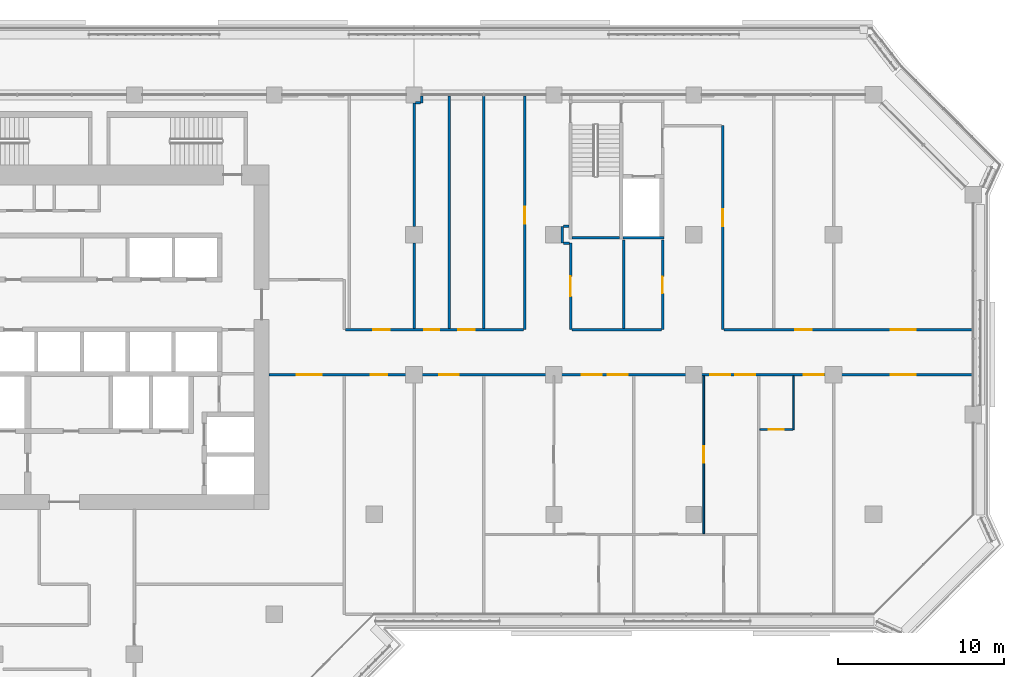
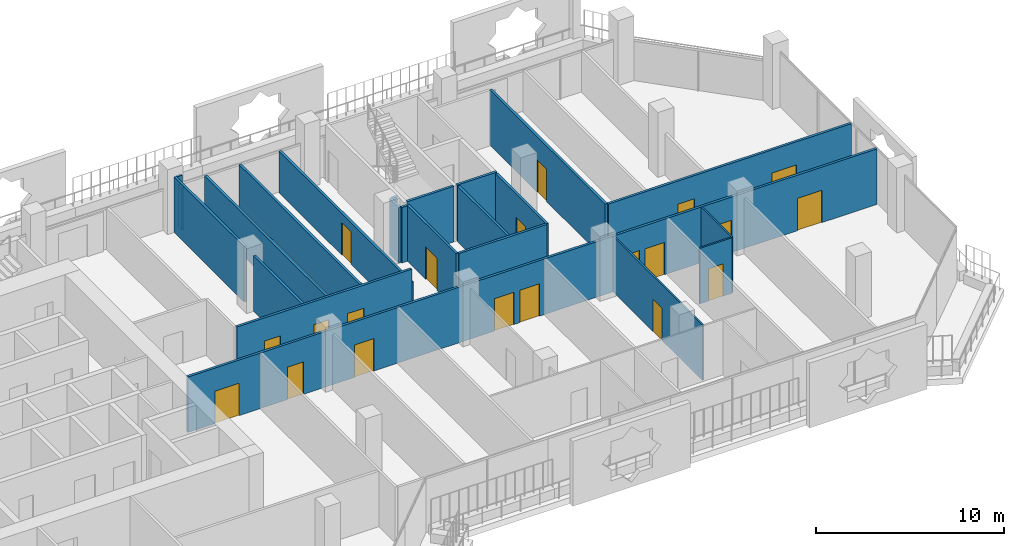
# One storey, part 13 of 22: 23 walls, 20 doors, 20 openings.
"""IFC4 building model written with IfcOpenShell, lengths in metres."""

from ifc_helpers import new_model, si_unit, direction, frame, frame_2d, origin, place, context, subcontext, project, spatial, rectangle, extrude, material, layer, layer_set, type_object, element, fill, save


model = new_model("IFC4")

# Units and contexts
model_context = context("Model", 3, precision=1e-05, world=origin(), true_north=direction((0.0, 1.0)))
body_context = subcontext(model_context, "Body", "Model", "MODEL_VIEW")
ifc_project = project(units=[si_unit("LENGTHUNIT", "METRE"), si_unit("AREAUNIT", "SQUARE_METRE"), si_unit("VOLUMEUNIT", "CUBIC_METRE"), si_unit("PLANEANGLEUNIT", "RADIAN"), si_unit("MASSUNIT", "GRAM", prefix="KILO")], contexts=[model_context])

# Site, building, storey
site_placement = place(None, origin())
site = spatial("IfcSite", under=ifc_project, at=site_placement, CompositionType="ELEMENT")
building_placement = place(site_placement, origin())
building = spatial("IfcBuilding", under=site, at=building_placement, Name="Kawkab Arch Medical Tower", CompositionType="ELEMENT")
storey_placement = place(building_placement, frame((0.0, 0.0, 204.60009765625)))
storey = spatial("IfcBuildingStorey", under=building, at=storey_placement, Name="L47", CompositionType="ELEMENT", Elevation=204.60009765625)

# Wall, opening, door
ifc_material_1 = material(Name="Gypsum board partition on steel studs", Category="steel")
ifc_layer_1 = layer(ifc_material_1, 0.10009765625)
ifc_layer_set_1 = layer_set([ifc_layer_1], Name="Gypsum board partition on steel studs")
wall_type_1 = type_object("IfcWallType", Name="Partition 100", PredefinedType="PARTITIONING", material=ifc_layer_set_1)
wall_1_placement = place(storey_placement, frame((54.375, -20.10009765625, 0.0), z_axis=(0.0, 0.0, 1.0), x_axis=(1.0, 0.0, 0.0)))
wall_1 = element("IfcWall", 1, at=wall_1_placement, inside=storey, type_object=wall_type_1, Name="Partition 100 w004", PredefinedType="PARTITIONING", context=body_context, shape_type="SweptSolid", body=[
    extrude(rectangle(XDim=1.97509765625, YDim=0.10009765625, at=frame_2d((0.987548828125, 0.0))), origin(), (0.0, 0.0, 1.0), 3.599853515625),
])
opening_1_placement = place(wall_1_placement, frame((0.52490234375, 0.0, 0.0)))
opening_1 = element("IfcOpeningElement", 2, at=opening_1_placement, cuts=wall_1, Name="Opening W42-008", PredefinedType="OPENING", context=body_context, shape_type="SweptSolid", body=[
    extrude(rectangle(XDim=0.89990234375, YDim=2.10009765625, at=frame_2d((0.449951171875, 1.050048828125))), frame((0.0, 0.06005859375, 0.0), z_axis=(0.0, -1.0, 0.0), x_axis=(1.0, 0.0, 0.0)), (0.0, 0.0, 1.0), 0.1201171875),
])
ifc_material_2 = material(Name="Timber door leaf", Category="wood")
door_type_1 = type_object("IfcDoorType", Name="Single door 900x2100", OperationType="NOTDEFINED", PredefinedType="DOOR", material=ifc_material_2)
door_1_placement = place(opening_1_placement, origin())
door_1 = element("IfcDoor", 3, at=door_1_placement, inside=storey, type_object=door_type_1, Name="Door W42-008", OperationType="SINGLE_SWING_RIGHT", OverallHeight=2.10009765625, OverallWidth=0.89990234375, PredefinedType="DOOR", context=body_context, shape_type="SweptSolid", body=[
    extrude(rectangle(XDim=0.89990234375, YDim=2.10009765625, at=frame_2d((0.449951171875, 1.050048828125))), frame((0.0, 0.02490234375, 0.0), z_axis=(0.0, -1.0, 0.0), x_axis=(1.0, 0.0, 0.0)), (0.0, 0.0, 1.0), 0.050048828125),
])
fill(opening_1, door_1)

wall_2_placement = place(storey_placement, frame((51.0, -26.35009765625, 0.0), z_axis=(0.0, 0.0, 1.0), x_axis=(0.0, 1.0, 0.0)))
wall_2 = element("IfcWall", 4, at=wall_2_placement, inside=storey, type_object=wall_type_1, Name="Partition 100 w008", PredefinedType="PARTITIONING", context=body_context, shape_type="SweptSolid", body=[
    extrude(rectangle(XDim=9.47509765625, YDim=0.10009765625, at=frame_2d((4.737548828125, 0.0))), origin(), (0.0, 0.0, 1.0), 3.599853515625),
])
opening_2_placement = place(wall_2_placement, frame((4.25, 0.0, 0.0)))
opening_2 = element("IfcOpeningElement", 5, at=opening_2_placement, cuts=wall_2, Name="Opening W42-015", PredefinedType="OPENING", context=body_context, shape_type="SweptSolid", body=[
    extrude(rectangle(XDim=1.0, YDim=2.10009765625, at=frame_2d((0.5, 1.050048828125))), frame((0.0, 0.06005859375, 0.0), z_axis=(0.0, -1.0, 0.0), x_axis=(1.0, 0.0, 0.0)), (0.0, 0.0, 1.0), 0.1201171875),
])
ifc_material_3 = material(Name="Timber door leaf", Category="wood")
door_type_2 = type_object("IfcDoorType", Name="Single door 1000x2100", OperationType="NOTDEFINED", PredefinedType="DOOR", material=ifc_material_3)
door_2_placement = place(opening_2_placement, origin())
door_2 = element("IfcDoor", 6, at=door_2_placement, inside=storey, type_object=door_type_2, Name="Door W42-015", OperationType="SINGLE_SWING_LEFT", OverallHeight=2.10009765625, OverallWidth=1.0, PredefinedType="DOOR", context=body_context, shape_type="SweptSolid", body=[
    extrude(rectangle(XDim=1.0, YDim=2.10009765625, at=frame_2d((0.5, 1.050048828125))), frame((0.0, 0.02490234375, 0.0), z_axis=(0.0, -1.0, 0.0), x_axis=(1.0, 0.0, 0.0)), (0.0, 0.0, 1.0), 0.050048828125),
])
fill(opening_2, door_2)

# Wall
wall_3_placement = place(storey_placement, frame((56.39990234375, -20.10009765625, 0.0), z_axis=(0.0, 0.0, 1.0), x_axis=(0.0, 1.0, 0.0)))
element("IfcWall", 7, at=wall_3_placement, inside=storey, type_object=wall_type_1, Name="Partition 100 w010", PredefinedType="PARTITIONING", context=body_context, shape_type="SweptSolid", body=[
    extrude(rectangle(XDim=3.22509765625, YDim=0.10009765625, at=frame_2d((1.612548828125, 0.0))), origin(), (0.0, 0.0, 1.0), 3.599853515625),
])

# Wall, openings, doors
ifc_material_4 = material(Name="Gypsum board partition on steel studs, mineral wool", Category="steel")
ifc_layer_2 = layer(ifc_material_4, 0.14990234375)
ifc_layer_set_2 = layer_set([ifc_layer_2], Name="Gypsum board partition on steel studs, mineral wool")
wall_type_2 = type_object("IfcWallType", Name="Partition 150", PredefinedType="PARTITIONING", material=ifc_layer_set_2)
wall_4_placement = place(storey_placement, frame((24.89990234375, -16.800048828125, 0.0), z_axis=(0.0, 0.0, 1.0), x_axis=(1.0, 0.0, 0.0)))
wall_4 = element("IfcWall", 8, at=wall_4_placement, inside=storey, type_object=wall_type_2, Name="Partition 150 w022", PredefinedType="PARTITIONING", context=body_context, shape_type="SweptSolid", body=[
    extrude(rectangle(XDim=42.22021484375, YDim=0.14990234375, at=frame_2d((21.110107421875, 0.0))), origin(), (0.0, 0.0, 1.0), 3.599853515625),
])
opening_3_placement = place(wall_4_placement, frame((1.64990234375, 0.0, 0.0)))
opening_3 = element("IfcOpeningElement", 9, at=opening_3_placement, cuts=wall_4, Name="Opening W42-001", PredefinedType="OPENING", context=body_context, shape_type="SweptSolid", body=[
    extrude(rectangle(XDim=1.5, YDim=2.10009765625, at=frame_2d((0.75, 1.050048828125))), frame((0.0, 0.0849609375, 0.0), z_axis=(0.0, -1.0, 0.0), x_axis=(1.0, 0.0, 0.0)), (0.0, 0.0, 1.0), 0.169921875),
])
opening_4_placement = place(wall_4_placement, frame((6.10009765625, 0.0, 0.0)))
opening_4 = element("IfcOpeningElement", 10, at=opening_4_placement, cuts=wall_4, Name="Opening W42-022", PredefinedType="OPENING", context=body_context, shape_type="SweptSolid", body=[
    extrude(rectangle(XDim=1.0, YDim=2.10009765625, at=frame_2d((0.5, 1.050048828125))), frame((0.0, 0.0849609375, 0.0), z_axis=(0.0, -1.0, 0.0), x_axis=(1.0, 0.0, 0.0)), (0.0, 0.0, 1.0), 0.169921875),
])
opening_5_placement = place(wall_4_placement, frame((10.199951171875, 0.0, 0.0)))
opening_5 = element("IfcOpeningElement", 11, at=opening_5_placement, cuts=wall_4, Name="Opening W42-028", PredefinedType="OPENING", context=body_context, shape_type="SweptSolid", body=[
    extrude(rectangle(XDim=1.199951171875, YDim=2.10009765625, at=frame_2d((0.60009765625, 1.050048828125))), frame((0.0, 0.0849609375, 0.0), z_axis=(0.0, -1.0, 0.0), x_axis=(1.0, 0.0, 0.0)), (0.0, 0.0, 1.0), 0.169921875),
])
opening_6_placement = place(wall_4_placement, frame((20.340087890625, 0.0, 0.0)))
opening_6 = element("IfcOpeningElement", 12, at=opening_6_placement, cuts=wall_4, Name="Opening W42-029", PredefinedType="OPENING", context=body_context, shape_type="SweptSolid", body=[
    extrude(rectangle(XDim=1.199951171875, YDim=2.10009765625, at=frame_2d((0.60009765625, 1.050048828125))), frame((0.0, 0.0849609375, 0.0), z_axis=(0.0, -1.0, 0.0), x_axis=(1.0, 0.0, 0.0)), (0.0, 0.0, 1.0), 0.169921875),
])
opening_7_placement = place(wall_4_placement, frame((18.780029296875, 0.0, 0.0)))
opening_7 = element("IfcOpeningElement", 13, at=opening_7_placement, cuts=wall_4, Name="Opening W42-030", PredefinedType="OPENING", context=body_context, shape_type="SweptSolid", body=[
    extrude(rectangle(XDim=1.199951171875, YDim=2.10009765625, at=frame_2d((0.60009765625, 1.050048828125))), frame((0.0, 0.0849609375, 0.0), z_axis=(0.0, -1.0, 0.0), x_axis=(1.0, 0.0, 0.0)), (0.0, 0.0, 1.0), 0.169921875),
])
opening_8_placement = place(wall_4_placement, frame((28.0, 0.0, 0.0)))
opening_8 = element("IfcOpeningElement", 14, at=opening_8_placement, cuts=wall_4, Name="Opening W42-031", PredefinedType="OPENING", context=body_context, shape_type="SweptSolid", body=[
    extrude(rectangle(XDim=1.199951171875, YDim=2.10009765625, at=frame_2d((0.60009765625, 1.050048828125))), frame((0.0, 0.0849609375, 0.0), z_axis=(0.0, -1.0, 0.0), x_axis=(1.0, 0.0, 0.0)), (0.0, 0.0, 1.0), 0.169921875),
])
opening_9_placement = place(wall_4_placement, frame((26.47998046875, 0.0, 0.0)))
opening_9 = element("IfcOpeningElement", 15, at=opening_9_placement, cuts=wall_4, Name="Opening W42-032", PredefinedType="OPENING", context=body_context, shape_type="SweptSolid", body=[
    extrude(rectangle(XDim=1.199951171875, YDim=2.10009765625, at=frame_2d((0.60009765625, 1.050048828125))), frame((0.0, 0.0849609375, 0.0), z_axis=(0.0, -1.0, 0.0), x_axis=(1.0, 0.0, 0.0)), (0.0, 0.0, 1.0), 0.169921875),
])
opening_10_placement = place(wall_4_placement, frame((32.10009765625, 0.0, 0.0)))
opening_10 = element("IfcOpeningElement", 16, at=opening_10_placement, cuts=wall_4, Name="Opening W42-033", PredefinedType="OPENING", context=body_context, shape_type="SweptSolid", body=[
    extrude(rectangle(XDim=1.199951171875, YDim=2.10009765625, at=frame_2d((0.60009765625, 1.050048828125))), frame((0.0, 0.0849609375, 0.0), z_axis=(0.0, -1.0, 0.0), x_axis=(1.0, 0.0, 0.0)), (0.0, 0.0, 1.0), 0.169921875),
])
opening_11_placement = place(wall_4_placement, frame((37.35009765625, 0.0, 0.0)))
opening_11 = element("IfcOpeningElement", 17, at=opening_11_placement, cuts=wall_4, Name="Opening W42-003", PredefinedType="OPENING", context=body_context, shape_type="SweptSolid", body=[
    extrude(rectangle(XDim=1.5, YDim=2.10009765625, at=frame_2d((0.75, 1.050048828125))), frame((0.0, 0.0849609375, 0.0), z_axis=(0.0, -1.0, 0.0), x_axis=(1.0, 0.0, 0.0)), (0.0, 0.0, 1.0), 0.169921875),
])
ifc_material_5 = material(Name="Hollow metal door leaf")
door_type_3 = type_object("IfcDoorType", Name="Double door 1500x2100 FD30S", OperationType="NOTDEFINED", PredefinedType="DOOR", material=ifc_material_5)
door_3_placement = place(opening_3_placement, origin())
door_3 = element("IfcDoor", 18, at=door_3_placement, inside=storey, type_object=door_type_3, Name="Door W42-001", OperationType="DOUBLE_DOOR_SINGLE_SWING", OverallHeight=2.10009765625, OverallWidth=1.5, PredefinedType="DOOR", context=body_context, shape_type="SweptSolid", body=[
    extrude(rectangle(XDim=1.5, YDim=2.10009765625, at=frame_2d((0.75, 1.050048828125))), frame((0.0, 0.02490234375, 0.0), z_axis=(0.0, -1.0, 0.0), x_axis=(1.0, 0.0, 0.0)), (0.0, 0.0, 1.0), 0.050048828125),
])
fill(opening_3, door_3)
door_4_placement = place(opening_11_placement, origin())
door_4 = element("IfcDoor", 19, at=door_4_placement, inside=storey, type_object=door_type_3, Name="Door W42-003", OperationType="DOUBLE_DOOR_SINGLE_SWING", OverallHeight=2.10009765625, OverallWidth=1.5, PredefinedType="DOOR", context=body_context, shape_type="SweptSolid", body=[
    extrude(rectangle(XDim=1.5, YDim=2.10009765625, at=frame_2d((0.75, 1.050048828125))), frame((0.0, 0.02490234375, 0.0), z_axis=(0.0, -1.0, 0.0), x_axis=(1.0, 0.0, 0.0)), (0.0, 0.0, 1.0), 0.050048828125),
])
fill(opening_11, door_4)
ifc_material_6 = material(Name="Hollow metal door leaf")
door_type_4 = type_object("IfcDoorType", Name="Single door 1000x2100 FD30S", OperationType="NOTDEFINED", PredefinedType="DOOR", material=ifc_material_6)
door_5_placement = place(opening_4_placement, origin())
door_5 = element("IfcDoor", 20, at=door_5_placement, inside=storey, type_object=door_type_4, Name="Door W42-022", OperationType="SINGLE_SWING_RIGHT", OverallHeight=2.10009765625, OverallWidth=1.0, PredefinedType="DOOR", context=body_context, shape_type="SweptSolid", body=[
    extrude(rectangle(XDim=1.0, YDim=2.10009765625, at=frame_2d((0.5, 1.050048828125))), frame((0.0, 0.02490234375, 0.0), z_axis=(0.0, -1.0, 0.0), x_axis=(1.0, 0.0, 0.0)), (0.0, 0.0, 1.0), 0.050048828125),
])
fill(opening_4, door_5)
ifc_material_7 = material(Name="Hollow metal door leaf")
door_type_5 = type_object("IfcDoorType", Name="Single door 1200x2100 FD30S", OperationType="NOTDEFINED", PredefinedType="DOOR", material=ifc_material_7)
door_6_placement = place(opening_5_placement, origin())
door_6 = element("IfcDoor", 21, at=door_6_placement, inside=storey, type_object=door_type_5, Name="Door W42-028", OperationType="SINGLE_SWING_RIGHT", OverallHeight=2.10009765625, OverallWidth=1.199951171875, PredefinedType="DOOR", context=body_context, shape_type="SweptSolid", body=[
    extrude(rectangle(XDim=1.199951171875, YDim=2.10009765625, at=frame_2d((0.60009765625, 1.050048828125))), frame((0.0, 0.02490234375, 0.0), z_axis=(0.0, -1.0, 0.0), x_axis=(1.0, 0.0, 0.0)), (0.0, 0.0, 1.0), 0.050048828125),
])
fill(opening_5, door_6)
door_7_placement = place(opening_6_placement, origin())
door_7 = element("IfcDoor", 22, at=door_7_placement, inside=storey, type_object=door_type_5, Name="Door W42-029", OperationType="SINGLE_SWING_LEFT", OverallHeight=2.10009765625, OverallWidth=1.199951171875, PredefinedType="DOOR", context=body_context, shape_type="SweptSolid", body=[
    extrude(rectangle(XDim=1.199951171875, YDim=2.10009765625, at=frame_2d((0.60009765625, 1.050048828125))), frame((0.0, 0.02490234375, 0.0), z_axis=(0.0, -1.0, 0.0), x_axis=(1.0, 0.0, 0.0)), (0.0, 0.0, 1.0), 0.050048828125),
])
fill(opening_6, door_7)
door_8_placement = place(opening_7_placement, origin())
door_8 = element("IfcDoor", 23, at=door_8_placement, inside=storey, type_object=door_type_5, Name="Door W42-030", OperationType="SINGLE_SWING_RIGHT", OverallHeight=2.10009765625, OverallWidth=1.199951171875, PredefinedType="DOOR", context=body_context, shape_type="SweptSolid", body=[
    extrude(rectangle(XDim=1.199951171875, YDim=2.10009765625, at=frame_2d((0.60009765625, 1.050048828125))), frame((0.0, 0.02490234375, 0.0), z_axis=(0.0, -1.0, 0.0), x_axis=(1.0, 0.0, 0.0)), (0.0, 0.0, 1.0), 0.050048828125),
])
fill(opening_7, door_8)
door_9_placement = place(opening_8_placement, origin())
door_9 = element("IfcDoor", 24, at=door_9_placement, inside=storey, type_object=door_type_5, Name="Door W42-031", OperationType="SINGLE_SWING_LEFT", OverallHeight=2.10009765625, OverallWidth=1.199951171875, PredefinedType="DOOR", context=body_context, shape_type="SweptSolid", body=[
    extrude(rectangle(XDim=1.199951171875, YDim=2.10009765625, at=frame_2d((0.60009765625, 1.050048828125))), frame((0.0, 0.02490234375, 0.0), z_axis=(0.0, -1.0, 0.0), x_axis=(1.0, 0.0, 0.0)), (0.0, 0.0, 1.0), 0.050048828125),
])
fill(opening_8, door_9)
door_10_placement = place(opening_9_placement, origin())
door_10 = element("IfcDoor", 25, at=door_10_placement, inside=storey, type_object=door_type_5, Name="Door W42-032", OperationType="SINGLE_SWING_LEFT", OverallHeight=2.10009765625, OverallWidth=1.199951171875, PredefinedType="DOOR", context=body_context, shape_type="SweptSolid", body=[
    extrude(rectangle(XDim=1.199951171875, YDim=2.10009765625, at=frame_2d((0.60009765625, 1.050048828125))), frame((0.0, 0.02490234375, 0.0), z_axis=(0.0, -1.0, 0.0), x_axis=(1.0, 0.0, 0.0)), (0.0, 0.0, 1.0), 0.050048828125),
])
fill(opening_9, door_10)
door_11_placement = place(opening_10_placement, origin())
door_11 = element("IfcDoor", 26, at=door_11_placement, inside=storey, type_object=door_type_5, Name="Door W42-033", OperationType="SINGLE_SWING_LEFT", OverallHeight=2.10009765625, OverallWidth=1.199951171875, PredefinedType="DOOR", context=body_context, shape_type="SweptSolid", body=[
    extrude(rectangle(XDim=1.199951171875, YDim=2.10009765625, at=frame_2d((0.60009765625, 1.050048828125))), frame((0.0, 0.02490234375, 0.0), z_axis=(0.0, -1.0, 0.0), x_axis=(1.0, 0.0, 0.0)), (0.0, 0.0, 1.0), 0.050048828125),
])
fill(opening_10, door_11)

wall_5_placement = place(storey_placement, frame((29.47509765625, -14.10009765625, 0.0), z_axis=(0.0, 0.0, 1.0), x_axis=(1.0, 0.0, 0.0)))
wall_5 = element("IfcWall", 27, at=wall_5_placement, inside=storey, type_object=wall_type_2, Name="Partition 150 w024", PredefinedType="PARTITIONING", context=body_context, shape_type="SweptSolid", body=[
    extrude(rectangle(XDim=10.706787109375, YDim=0.14990234375, at=frame_2d((5.353515625, 0.0))), origin(), (0.0, 0.0, 1.0), 3.599853515625),
])
opening_12_placement = place(wall_5_placement, frame((1.675048828125, 0.0, 0.0)))
opening_12 = element("IfcOpeningElement", 28, at=opening_12_placement, cuts=wall_5, Name="Opening W42-019", PredefinedType="OPENING", context=body_context, shape_type="SweptSolid", body=[
    extrude(rectangle(XDim=1.0, YDim=2.10009765625, at=frame_2d((0.5, 1.050048828125))), frame((0.0, 0.0849609375, 0.0), z_axis=(0.0, -1.0, 0.0), x_axis=(1.0, 0.0, 0.0)), (0.0, 0.0, 1.0), 0.169921875),
])
opening_13_placement = place(wall_5_placement, frame((4.72509765625, 0.0, 0.0)))
opening_13 = element("IfcOpeningElement", 29, at=opening_13_placement, cuts=wall_5, Name="Opening W42-010", PredefinedType="OPENING", context=body_context, shape_type="SweptSolid", body=[
    extrude(rectangle(XDim=0.89990234375, YDim=2.10009765625, at=frame_2d((0.449951171875, 1.050048828125))), frame((0.0, 0.0849609375, 0.0), z_axis=(0.0, -1.0, 0.0), x_axis=(1.0, 0.0, 0.0)), (0.0, 0.0, 1.0), 0.169921875),
])
opening_14_placement = place(wall_5_placement, frame((6.77490234375, 0.0, 0.0)))
opening_14 = element("IfcOpeningElement", 30, at=opening_14_placement, cuts=wall_5, Name="Opening W42-018", PredefinedType="OPENING", context=body_context, shape_type="SweptSolid", body=[
    extrude(rectangle(XDim=1.0, YDim=2.10009765625, at=frame_2d((0.5, 1.050048828125))), frame((0.0, 0.0849609375, 0.0), z_axis=(0.0, -1.0, 0.0), x_axis=(1.0, 0.0, 0.0)), (0.0, 0.0, 1.0), 0.169921875),
])
door_12_placement = place(opening_14_placement, origin())
door_12 = element("IfcDoor", 31, at=door_12_placement, inside=storey, type_object=door_type_2, Name="Door W42-018", OperationType="SINGLE_SWING_RIGHT", OverallHeight=2.10009765625, OverallWidth=1.0, PredefinedType="DOOR", context=body_context, shape_type="SweptSolid", body=[
    extrude(rectangle(XDim=1.0, YDim=2.10009765625, at=frame_2d((0.5, 1.050048828125))), frame((0.0, 0.02490234375, 0.0), z_axis=(0.0, -1.0, 0.0), x_axis=(1.0, 0.0, 0.0)), (0.0, 0.0, 1.0), 0.050048828125),
])
fill(opening_14, door_12)
door_13_placement = place(opening_12_placement, origin())
door_13 = element("IfcDoor", 32, at=door_13_placement, inside=storey, type_object=door_type_4, Name="Door W42-019", OperationType="SINGLE_SWING_LEFT", OverallHeight=2.10009765625, OverallWidth=1.0, PredefinedType="DOOR", context=body_context, shape_type="SweptSolid", body=[
    extrude(rectangle(XDim=1.0, YDim=2.10009765625, at=frame_2d((0.5, 1.050048828125))), frame((0.0, 0.02490234375, 0.0), z_axis=(0.0, -1.0, 0.0), x_axis=(1.0, 0.0, 0.0)), (0.0, 0.0, 1.0), 0.050048828125),
])
fill(opening_12, door_13)
door_14_placement = place(opening_13_placement, origin())
door_14 = element("IfcDoor", 33, at=door_14_placement, inside=storey, type_object=door_type_1, Name="Door W42-010", OperationType="SINGLE_SWING_LEFT", OverallHeight=2.10009765625, OverallWidth=0.89990234375, PredefinedType="DOOR", context=body_context, shape_type="SweptSolid", body=[
    extrude(rectangle(XDim=0.89990234375, YDim=2.10009765625, at=frame_2d((0.449951171875, 1.050048828125))), frame((0.0, 0.02490234375, 0.0), z_axis=(0.0, -1.0, 0.0), x_axis=(1.0, 0.0, 0.0)), (0.0, 0.0, 1.0), 0.050048828125),
])
fill(opening_13, door_14)

# Wall
wall_6_placement = place(storey_placement, frame((43.074951171875, -14.10009765625, 0.0), z_axis=(0.0, 0.0, 1.0), x_axis=(1.0, 0.0, 0.0)))
element("IfcWall", 34, at=wall_6_placement, inside=storey, type_object=wall_type_2, Name="Partition 150 w025", PredefinedType="PARTITIONING", context=body_context, shape_type="SweptSolid", body=[
    extrude(rectangle(XDim=5.375, YDim=0.14990234375, at=frame_2d((2.6875, 0.0))), origin(), (0.0, 0.0, 1.0), 3.599853515625),
])

# Wall, openings, doors
wall_7_placement = place(storey_placement, frame((52.218017578125, -14.10009765625, 0.0), z_axis=(0.0, 0.0, 1.0), x_axis=(1.0, 0.0, 0.0)))
wall_7 = element("IfcWall", 35, at=wall_7_placement, inside=storey, type_object=wall_type_2, Name="Partition 150 w026", PredefinedType="PARTITIONING", context=body_context, shape_type="SweptSolid", body=[
    extrude(rectangle(XDim=14.902099609375, YDim=0.14990234375, at=frame_2d((7.451171875, 0.0))), origin(), (0.0, 0.0, 1.0), 3.599853515625),
])
opening_15_placement = place(wall_7_placement, frame((4.281982421875, 0.0, 0.0)))
opening_15 = element("IfcOpeningElement", 36, at=opening_15_placement, cuts=wall_7, Name="Opening W42-021", PredefinedType="OPENING", context=body_context, shape_type="SweptSolid", body=[
    extrude(rectangle(XDim=1.0, YDim=2.10009765625, at=frame_2d((0.5, 1.050048828125))), frame((0.0, 0.0849609375, 0.0), z_axis=(0.0, -1.0, 0.0), x_axis=(1.0, 0.0, 0.0)), (0.0, 0.0, 1.0), 0.169921875),
])
opening_16_placement = place(wall_7_placement, frame((10.031982421875, 0.0, 0.0)))
opening_16 = element("IfcOpeningElement", 37, at=opening_16_placement, cuts=wall_7, Name="Opening W42-002", PredefinedType="OPENING", context=body_context, shape_type="SweptSolid", body=[
    extrude(rectangle(XDim=1.5, YDim=2.10009765625, at=frame_2d((0.75, 1.050048828125))), frame((0.0, 0.0849609375, 0.0), z_axis=(0.0, -1.0, 0.0), x_axis=(1.0, 0.0, 0.0)), (0.0, 0.0, 1.0), 0.169921875),
])
door_15_placement = place(opening_16_placement, origin())
door_15 = element("IfcDoor", 38, at=door_15_placement, inside=storey, type_object=door_type_3, Name="Door W42-002", OperationType="DOUBLE_DOOR_SINGLE_SWING", OverallHeight=2.10009765625, OverallWidth=1.5, PredefinedType="DOOR", context=body_context, shape_type="SweptSolid", body=[
    extrude(rectangle(XDim=1.5, YDim=2.10009765625, at=frame_2d((0.75, 1.050048828125))), frame((0.0, 0.02490234375, 0.0), z_axis=(0.0, -1.0, 0.0), x_axis=(1.0, 0.0, 0.0)), (0.0, 0.0, 1.0), 0.050048828125),
])
fill(opening_16, door_15)
door_16_placement = place(opening_15_placement, origin())
door_16 = element("IfcDoor", 39, at=door_16_placement, inside=storey, type_object=door_type_4, Name="Door W42-021", OperationType="SINGLE_SWING_LEFT", OverallHeight=2.10009765625, OverallWidth=1.0, PredefinedType="DOOR", context=body_context, shape_type="SweptSolid", body=[
    extrude(rectangle(XDim=1.0, YDim=2.10009765625, at=frame_2d((0.5, 1.050048828125))), frame((0.0, 0.02490234375, 0.0), z_axis=(0.0, -1.0, 0.0), x_axis=(1.0, 0.0, 0.0)), (0.0, 0.0, 1.0), 0.050048828125),
])
fill(opening_15, door_16)

# Walls
wall_8_placement = place(storey_placement, frame((42.576904296875, -8.89990234375, 0.0), z_axis=(0.0, 0.0, 1.0), x_axis=(1.0, 0.0, 0.0)))
element("IfcWall", 40, at=wall_8_placement, inside=storey, type_object=wall_type_2, Name="Partition 150 w028", PredefinedType="PARTITIONING", context=body_context, shape_type="SweptSolid", body=[
    extrude(rectangle(XDim=0.34814453125, YDim=0.14990234375, at=frame_2d((0.174072265625, 0.0))), origin(), (0.0, 0.0, 1.0), 3.599853515625),
])
wall_9_placement = place(storey_placement, frame((42.576904296875, -7.89990234375, 0.0), z_axis=(0.0, 0.0, 1.0), x_axis=(1.0, 0.0, 0.0)))
element("IfcWall", 41, at=wall_9_placement, inside=storey, type_object=wall_type_2, Name="Partition 150 w029", PredefinedType="PARTITIONING", context=body_context, shape_type="SweptSolid", body=[
    extrude(rectangle(XDim=0.322998046875, YDim=0.14990234375, at=frame_2d((0.16162109375, 0.0))), origin(), (0.0, 0.0, 1.0), 3.599853515625),
])
wall_10_placement = place(storey_placement, frame((33.677001953125, -0.47509765625, 0.0), z_axis=(0.0, 0.0, 1.0), x_axis=(1.0, 0.0, 0.0)))
element("IfcWall", 42, at=wall_10_placement, inside=storey, type_object=wall_type_2, Name="Partition 150 w031", PredefinedType="PARTITIONING", context=body_context, shape_type="SweptSolid", body=[
    extrude(rectangle(XDim=0.321044921875, YDim=0.14990234375, at=frame_2d((0.16064453125, 0.0))), origin(), (0.0, 0.0, 1.0), 3.599853515625),
])
wall_11_placement = place(storey_placement, frame((33.60009765625, -14.02490234375, 0.0), z_axis=(0.0, 0.0, 1.0), x_axis=(0.0, 1.0, 0.0)))
element("IfcWall", 43, at=wall_11_placement, inside=storey, type_object=wall_type_2, Name="Partition 150 w044", PredefinedType="PARTITIONING", context=body_context, shape_type="SweptSolid", body=[
    extrude(rectangle(XDim=5.125, YDim=0.14990234375, at=frame_2d((2.5625, 0.0))), origin(), (0.0, 0.0, 1.0), 3.599853515625),
])
wall_12_placement = place(storey_placement, frame((33.60009765625, -7.89990234375, 0.0), z_axis=(0.0, 0.0, 1.0), x_axis=(0.0, 1.0, 0.0)))
element("IfcWall", 44, at=wall_12_placement, inside=storey, type_object=wall_type_2, Name="Partition 150 w045", PredefinedType="PARTITIONING", context=body_context, shape_type="SweptSolid", body=[
    extrude(rectangle(XDim=7.4228515625, YDim=0.14990234375, at=frame_2d((3.71142578125, 0.0))), origin(), (0.0, 0.0, 1.0), 3.599853515625),
])
wall_13_placement = place(storey_placement, frame((34.074951171875, -0.472900390625, 0.0), z_axis=(0.0, 0.0, 1.0), x_axis=(0.0, 1.0, 0.0)))
element("IfcWall", 45, at=wall_13_placement, inside=storey, type_object=wall_type_2, Name="Partition 150 w046", PredefinedType="PARTITIONING", context=body_context, shape_type="SweptSolid", body=[
    extrude(rectangle(XDim=0.392822265625, YDim=0.14990234375, at=frame_2d((0.1962890625, 0.0))), origin(), (0.0, 0.0, 1.0), 2.699951171875),
])
for number, where, z_axis, x_axis, name in (
    (46, (35.699951171875, -14.02490234375, 0.0), (0.0, 0.0, 1.0), (0.0, 1.0, 0.0), "Partition 150 w047"),
    (47, (37.800048828125, -14.02490234375, 0.0), (0.0, 0.0, 1.0), (0.0, 1.0, 0.0), "Partition 150 w049"),
):
    element("IfcWall", number, at=place(storey_placement, frame(where, z_axis=z_axis, x_axis=x_axis)), inside=storey, type_object=wall_type_2, Name=name, PredefinedType="PARTITIONING", context=body_context, shape_type="SweptSolid", body=[
        extrude(rectangle(XDim=13.94482421875, YDim=0.14990234375, at=frame_2d((6.972412109375, 0.0))), origin(), (0.0, 0.0, 1.0), 2.699951171875),
    ])

# Wall, opening, door
wall_14_placement = place(storey_placement, frame((40.257080078125, -14.10009765625, 0.0), z_axis=(0.0, 0.0, 1.0), x_axis=(0.0, 1.0, 0.0)))
wall_14 = element("IfcWall", 48, at=wall_14_placement, inside=storey, type_object=wall_type_2, Name="Partition 150 w050", PredefinedType="PARTITIONING", context=body_context, shape_type="SweptSolid", body=[
    extrude(rectangle(XDim=14.02001953125, YDim=0.14990234375, at=frame_2d((7.010009765625, 0.0))), origin(), (0.0, 0.0, 1.0), 2.699951171875),
])
opening_17_placement = place(wall_14_placement, frame((6.3740234375, 0.0, 0.0)))
opening_17 = element("IfcOpeningElement", 49, at=opening_17_placement, cuts=wall_14, Name="Opening W42-024", PredefinedType="OPENING", context=body_context, shape_type="SweptSolid", body=[
    extrude(rectangle(XDim=1.0, YDim=2.10009765625, at=frame_2d((0.5, 1.050048828125))), frame((0.0, 0.0849609375, 0.0), z_axis=(0.0, -1.0, 0.0), x_axis=(1.0, 0.0, 0.0)), (0.0, 0.0, 1.0), 0.169921875),
])
door_17_placement = place(opening_17_placement, origin())
door_17 = element("IfcDoor", 50, at=door_17_placement, inside=storey, type_object=door_type_4, Name="Door W42-024", OperationType="SINGLE_SWING_LEFT", OverallHeight=2.10009765625, OverallWidth=1.0, PredefinedType="DOOR", context=body_context, shape_type="SweptSolid", body=[
    extrude(rectangle(XDim=1.0, YDim=2.10009765625, at=frame_2d((0.5, 1.050048828125))), frame((0.0, 0.02490234375, 0.0), z_axis=(0.0, -1.0, 0.0), x_axis=(1.0, 0.0, 0.0)), (0.0, 0.0, 1.0), 0.050048828125),
])
fill(opening_17, door_17)

# Wall
wall_15_placement = place(storey_placement, frame((42.5, -8.89892578125, 0.0), z_axis=(0.0, 0.0, 1.0), x_axis=(0.0, 1.0, 0.0)))
element("IfcWall", 51, at=wall_15_placement, inside=storey, type_object=wall_type_2, Name="Partition 150 w051", PredefinedType="PARTITIONING", context=body_context, shape_type="SweptSolid", body=[
    extrude(rectangle(XDim=0.996826171875, YDim=0.14990234375, at=frame_2d((0.49853515625, 0.0))), origin(), (0.0, 0.0, 1.0), 3.599853515625),
])

# Wall, opening, door
wall_16_placement = place(storey_placement, frame((43.0, -14.10009765625, 0.0), z_axis=(0.0, 0.0, 1.0), x_axis=(0.0, 1.0, 0.0)))
wall_16 = element("IfcWall", 52, at=wall_16_placement, inside=storey, type_object=wall_type_2, Name="Partition 150 w052", PredefinedType="PARTITIONING", context=body_context, shape_type="SweptSolid", body=[
    extrude(rectangle(XDim=5.2001953125, YDim=0.14990234375, at=frame_2d((2.60009765625, 0.0))), origin(), (0.0, 0.0, 1.0), 3.599853515625),
])
opening_18_placement = place(wall_16_placement, frame((2.0, 0.0, 0.0)))
opening_18 = element("IfcOpeningElement", 53, at=opening_18_placement, cuts=wall_16, Name="Opening W42-027", PredefinedType="OPENING", context=body_context, shape_type="SweptSolid", body=[
    extrude(rectangle(XDim=1.199951171875, YDim=2.10009765625, at=frame_2d((0.60009765625, 1.050048828125))), frame((0.0, 0.0849609375, 0.0), z_axis=(0.0, -1.0, 0.0), x_axis=(1.0, 0.0, 0.0)), (0.0, 0.0, 1.0), 0.169921875),
])
door_18_placement = place(opening_18_placement, origin())
door_18 = element("IfcDoor", 54, at=door_18_placement, inside=storey, type_object=door_type_5, Name="Door W42-027", OperationType="SINGLE_SWING_LEFT", OverallHeight=2.10009765625, OverallWidth=1.199951171875, PredefinedType="DOOR", context=body_context, shape_type="SweptSolid", body=[
    extrude(rectangle(XDim=1.199951171875, YDim=2.10009765625, at=frame_2d((0.60009765625, 1.050048828125))), frame((0.0, 0.02490234375, 0.0), z_axis=(0.0, -1.0, 0.0), x_axis=(1.0, 0.0, 0.0)), (0.0, 0.0, 1.0), 0.050048828125),
])
fill(opening_18, door_18)

# Wall
wall_17_placement = place(storey_placement, frame((46.199951171875, -14.02490234375, 0.0), z_axis=(0.0, 0.0, 1.0), x_axis=(0.0, 1.0, 0.0)))
element("IfcWall", 55, at=wall_17_placement, inside=storey, type_object=wall_type_2, Name="Partition 150 w054", PredefinedType="PARTITIONING", context=body_context, shape_type="SweptSolid", body=[
    extrude(rectangle(XDim=5.294921875, YDim=0.14990234375, at=frame_2d((2.6474609375, 0.0))), origin(), (0.0, 0.0, 1.0), 3.599853515625),
])

# Wall, opening, door
wall_18_placement = place(storey_placement, frame((48.52490234375, -14.10009765625, 0.0), z_axis=(0.0, 0.0, 1.0), x_axis=(0.0, 1.0, 0.0)))
wall_18 = element("IfcWall", 56, at=wall_18_placement, inside=storey, type_object=wall_type_2, Name="Partition 150 w056", PredefinedType="PARTITIONING", context=body_context, shape_type="SweptSolid", body=[
    extrude(rectangle(XDim=5.3701171875, YDim=0.14990234375, at=frame_2d((2.68505859375, 0.0))), origin(), (0.0, 0.0, 1.0), 3.599853515625),
])
opening_19_placement = place(wall_18_placement, frame((2.18505859375, 0.0, 0.0)))
opening_19 = element("IfcOpeningElement", 57, at=opening_19_placement, cuts=wall_18, Name="Opening W42-025", PredefinedType="OPENING", context=body_context, shape_type="SweptSolid", body=[
    extrude(rectangle(XDim=1.0, YDim=2.10009765625, at=frame_2d((0.5, 1.050048828125))), frame((0.0, 0.0849609375, 0.0), z_axis=(0.0, -1.0, 0.0), x_axis=(1.0, 0.0, 0.0)), (0.0, 0.0, 1.0), 0.169921875),
])
door_19_placement = place(opening_19_placement, origin())
door_19 = element("IfcDoor", 58, at=door_19_placement, inside=storey, type_object=door_type_4, Name="Door W42-025", OperationType="SINGLE_SWING_RIGHT", OverallHeight=2.10009765625, OverallWidth=1.0, PredefinedType="DOOR", context=body_context, shape_type="SweptSolid", body=[
    extrude(rectangle(XDim=1.0, YDim=2.10009765625, at=frame_2d((0.5, 1.050048828125))), frame((0.0, 0.02490234375, 0.0), z_axis=(0.0, -1.0, 0.0), x_axis=(1.0, 0.0, 0.0)), (0.0, 0.0, 1.0), 0.050048828125),
])
fill(opening_19, door_19)

wall_19_placement = place(storey_placement, frame((52.14306640625, -14.10009765625, 0.0), z_axis=(0.0, 0.0, 1.0), x_axis=(0.0, 1.0, 0.0)))
wall_19 = element("IfcWall", 59, at=wall_19_placement, inside=storey, type_object=wall_type_2, Name="Partition 150 w057", PredefinedType="PARTITIONING", context=body_context, shape_type="SweptSolid", body=[
    extrude(rectangle(XDim=12.2490234375, YDim=0.14990234375, at=frame_2d((6.12451171875, 0.0))), origin(), (0.0, 0.0, 1.0), 3.599853515625),
])
opening_20_placement = place(wall_19_placement, frame((6.22412109375, 0.0, 0.0)))
opening_20 = element("IfcOpeningElement", 60, at=opening_20_placement, cuts=wall_19, Name="Opening W42-020", PredefinedType="OPENING", context=body_context, shape_type="SweptSolid", body=[
    extrude(rectangle(XDim=1.0, YDim=2.10009765625, at=frame_2d((0.5, 1.050048828125))), frame((0.0, 0.0849609375, 0.0), z_axis=(0.0, -1.0, 0.0), x_axis=(1.0, 0.0, 0.0)), (0.0, 0.0, 1.0), 0.169921875),
])
door_20_placement = place(opening_20_placement, origin())
door_20 = element("IfcDoor", 61, at=door_20_placement, inside=storey, type_object=door_type_4, Name="Door W42-020", OperationType="SINGLE_SWING_LEFT", OverallHeight=2.10009765625, OverallWidth=1.0, PredefinedType="DOOR", context=body_context, shape_type="SweptSolid", body=[
    extrude(rectangle(XDim=1.0, YDim=2.10009765625, at=frame_2d((0.5, 1.050048828125))), frame((0.0, 0.02490234375, 0.0), z_axis=(0.0, -1.0, 0.0), x_axis=(1.0, 0.0, 0.0)), (0.0, 0.0, 1.0), 0.050048828125),
])
fill(opening_20, door_20)

# Walls
ifc_material_8 = material(Name="Concrete C50/60", Category="concrete")
ifc_layer_3 = layer(ifc_material_8, 0.14990234375)
ifc_layer_set_3 = layer_set([ifc_layer_3], Name="Concrete C50/60")
wall_type_3 = type_object("IfcWallType", Name="Stair enclosure wall 150 C50/60", PredefinedType="SHEAR", material=ifc_layer_set_3)
wall_20_placement = place(storey_placement, frame((43.10009765625, -8.574951171875, 0.0), z_axis=(0.0, 0.0, 1.0), x_axis=(1.0, 0.0, 0.0)))
element("IfcWall", 62, at=wall_20_placement, inside=storey, type_object=wall_type_3, Name="L47 stair enclosure wall", PredefinedType="SHEAR", context=body_context, shape_type="SweptSolid", body=[
    extrude(rectangle(XDim=2.849853515625, YDim=0.14990234375, at=frame_2d((1.4248046875, 0.0))), origin(), (0.0, 0.0, 1.0), 3.599853515625),
])
wall_21_placement = place(storey_placement, frame((46.14990234375, -8.574951171875, 0.0), z_axis=(0.0, 0.0, 1.0), x_axis=(1.0, 0.0, 0.0)))
element("IfcWall", 63, at=wall_21_placement, inside=storey, type_object=wall_type_3, Name="L47 stair enclosure wall", PredefinedType="SHEAR", context=body_context, shape_type="SweptSolid", body=[
    extrude(rectangle(XDim=2.4501953125, YDim=0.14990234375, at=frame_2d((1.22509765625, 0.0))), origin(), (0.0, 0.0, 1.0), 3.599853515625),
])

save(model, "model.ifc")
